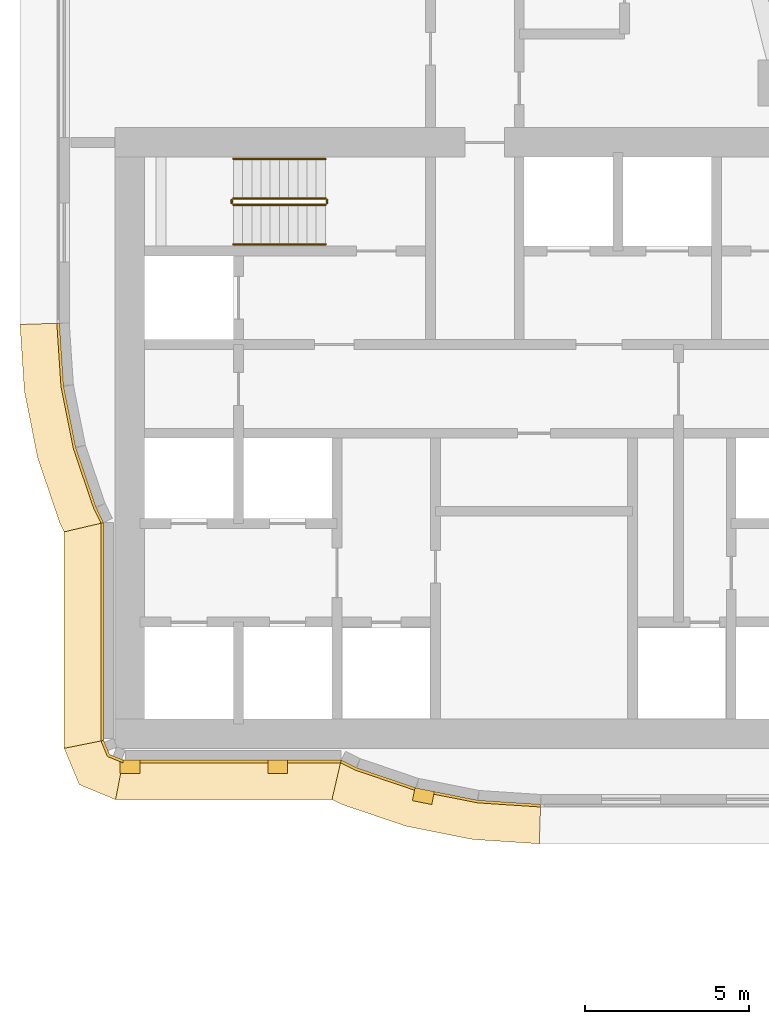
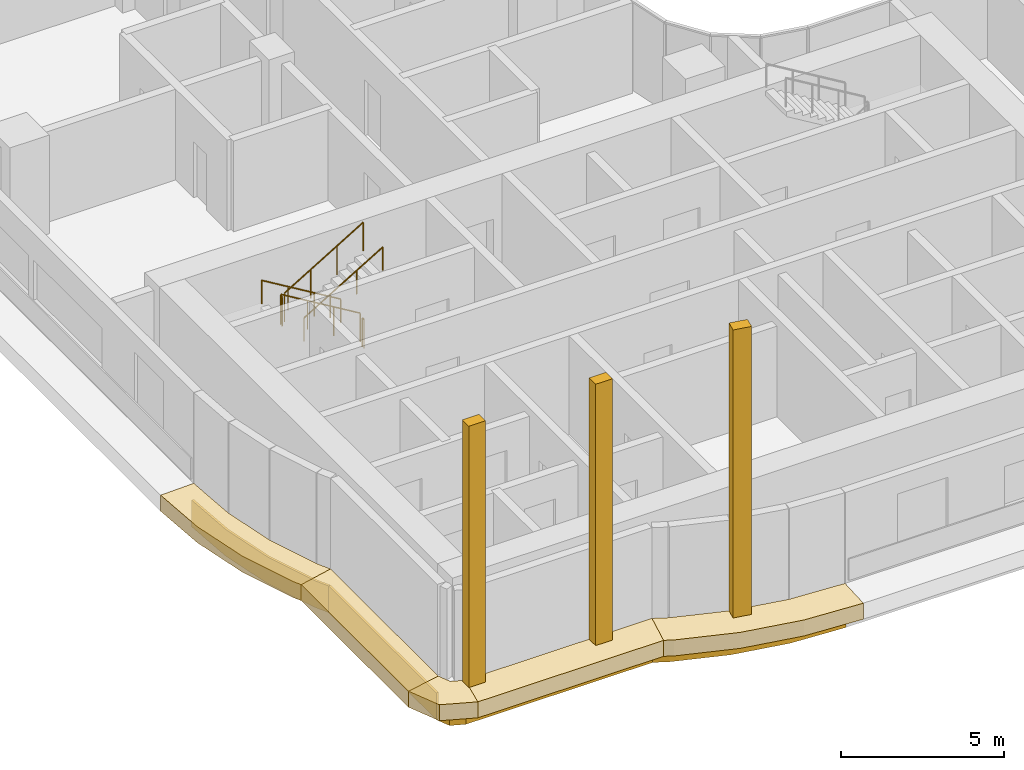
# One storey, part 28 of 36: 13 coverings, 6 railings.
"""IFC4 building model written with IfcOpenShell, lengths in metres."""

from ifc_helpers import new_model, si_unit, direction, frame, origin, origin_2d, place, context, subcontext, project, spatial, polyline, rectangle, circle, outline, extrude, material, layer, layer_set, type_object, element, save


model = new_model("IFC4")

# Units and contexts
model_context = context("Model", 3, precision=1e-05, world=origin(), true_north=direction((0.0, 1.0)))
body_context = subcontext(model_context, "Body", "Model", "MODEL_VIEW")
ifc_project = project(units=[si_unit("LENGTHUNIT", "METRE"), si_unit("AREAUNIT", "SQUARE_METRE"), si_unit("VOLUMEUNIT", "CUBIC_METRE"), si_unit("PLANEANGLEUNIT", "RADIAN"), si_unit("MASSUNIT", "GRAM", prefix="KILO")], contexts=[model_context])

# Site, building, storey
site_placement = place(None, origin())
site = spatial("IfcSite", under=ifc_project, at=site_placement, CompositionType="ELEMENT")
building_placement = place(site_placement, origin())
building = spatial("IfcBuilding", under=site, at=building_placement, Name="Ogive Portal Towers", CompositionType="ELEMENT")
storey_placement = place(building_placement, frame((0.0, 0.0, 52.0)))
storey = spatial("IfcBuildingStorey", under=building, at=storey_placement, Name="L11", CompositionType="ELEMENT", Elevation=52.0)

# Railings
ifc_material_1 = material(Name="Stainless steel balustrade", Category="steel")
railing_type_1 = type_object("IfcRailingType", Name="INT-GUARD", PredefinedType="GUARDRAIL", material=ifc_material_1)
railing_1_placement = place(storey_placement, frame((37.449951171875, 37.800048828125, 0.168212890625)))
element("IfcRailing", 1, at=railing_1_placement, inside=storey, type_object=railing_type_1, Name="L11 ST-A1 stair guard 1", PredefinedType="GUARDRAIL", context=body_context, shape_type="SweptSolid", body=[
    extrude(circle(Radius=0.02392578125, at=origin_2d()), frame((0.0, 0.0, 1.076171875), z_axis=(-0.857242210791, 0.0, 0.514913383045), x_axis=(0.0, -1.0, 0.0)), (0.0, 0.0, 1.0), 3.266357421875),
    extrude(circle(Radius=0.02099609375, at=origin_2d()), origin(), (0.0, 0.0, 1.0), 1.052001953125),
    extrude(circle(Radius=0.02099609375, at=origin_2d()), frame((-0.933349609375, 0.0, 0.560546875)), (0.0, 0.0, 1.0), 1.052001953125),
    extrude(circle(Radius=0.02099609375, at=origin_2d()), frame((-1.86669921875, 0.0, 1.121337890625)), (0.0, 0.0, 1.0), 1.052001953125),
    extrude(circle(Radius=0.02099609375, at=origin_2d()), frame((-2.800048828125, 0.0, 1.681884765625)), (0.0, 0.0, 1.0), 1.052001953125),
])
railing_2_placement = place(storey_placement, frame((34.60009765625, 37.75, 1.85009765625)))
element("IfcRailing", 2, at=railing_2_placement, inside=storey, type_object=railing_type_1, Name="L11 ST-A1 stair guard 2", PredefinedType="GUARDRAIL", context=body_context, shape_type="SweptSolid", body=[
    extrude(circle(Radius=0.02392578125, at=origin_2d()), frame((0.0, 0.0, 1.076171875), z_axis=(0.0, -1.0, 0.0), x_axis=(1.0, 0.0, 0.0)), (0.0, 0.0, 1.0), 0.10009765625),
    extrude(circle(Radius=0.02099609375, at=origin_2d()), origin(), (0.0, 0.0, 1.0), 1.052001953125),
    extrude(circle(Radius=0.02099609375, at=origin_2d()), frame((0.0, -0.10009765625, 0.0)), (0.0, 0.0, 1.0), 1.052001953125),
])
railing_3_placement = place(storey_placement, frame((34.64990234375, 37.60009765625, 2.01806640625)))
element("IfcRailing", 3, at=railing_3_placement, inside=storey, type_object=railing_type_1, Name="L11 ST-A1 stair guard 3", PredefinedType="GUARDRAIL", context=body_context, shape_type="SweptSolid", body=[
    extrude(circle(Radius=0.02392578125, at=origin_2d()), frame((0.0, 0.0, 1.076171875), z_axis=(0.857242210791, 0.0, 0.514913383045), x_axis=(0.0, 1.0, 0.0)), (0.0, 0.0, 1.0), 3.266357421875),
    extrude(circle(Radius=0.02099609375, at=origin_2d()), origin(), (0.0, 0.0, 1.0), 1.052001953125),
    extrude(circle(Radius=0.02099609375, at=origin_2d()), frame((0.933349609375, 0.0, 0.560546875)), (0.0, 0.0, 1.0), 1.052001953125),
    extrude(circle(Radius=0.02099609375, at=origin_2d()), frame((1.86669921875, 0.0, 1.121337890625)), (0.0, 0.0, 1.0), 1.052001953125),
    extrude(circle(Radius=0.02099609375, at=origin_2d()), frame((2.800048828125, 0.0, 1.681884765625)), (0.0, 0.0, 1.0), 1.052001953125),
])
railing_4_placement = place(storey_placement, frame((37.5, 37.75, 0.0)))
element("IfcRailing", 4, at=railing_4_placement, inside=storey, type_object=railing_type_1, Name="L11 ST-A1 stair guard 4", PredefinedType="GUARDRAIL", context=body_context, shape_type="SweptSolid", body=[
    extrude(circle(Radius=0.02392578125, at=origin_2d()), frame((0.0, 0.0, 1.076171875), z_axis=(0.0, -1.0, 0.0), x_axis=(1.0, 0.0, 0.0)), (0.0, 0.0, 1.0), 0.10009765625),
    extrude(circle(Radius=0.02099609375, at=origin_2d()), origin(), (0.0, 0.0, 1.0), 1.052001953125),
    extrude(circle(Radius=0.02099609375, at=origin_2d()), frame((0.0, -0.10009765625, 0.0)), (0.0, 0.0, 1.0), 1.052001953125),
])
ifc_material_2 = material(Name="Stainless steel handrail", Category="steel")
railing_type_2 = type_object("IfcRailingType", Name="INT-HANDRAIL", PredefinedType="HANDRAIL", material=ifc_material_2)
railing_5_placement = place(storey_placement, frame((37.449951171875, 39.0, 0.168212890625)))
element("IfcRailing", 5, at=railing_5_placement, inside=storey, type_object=railing_type_2, Name="L11 ST-A1 stair handrail 1", PredefinedType="HANDRAIL", context=body_context, shape_type="SweptSolid", body=[
    extrude(circle(Radius=0.02392578125, at=origin_2d()), frame((0.0, 0.0, 0.8759765625), z_axis=(-0.857242210791, 0.0, 0.514913383045), x_axis=(0.0, -1.0, 0.0)), (0.0, 0.0, 1.0), 3.266357421875),
    extrude(circle(Radius=0.02099609375, at=origin_2d()), origin(), (0.0, 0.0, 1.0), 0.851806640625),
    extrude(circle(Radius=0.02099609375, at=origin_2d()), frame((-0.933349609375, 0.0, 0.560546875)), (0.0, 0.0, 1.0), 0.851806640625),
    extrude(circle(Radius=0.02099609375, at=origin_2d()), frame((-1.86669921875, 0.0, 1.121337890625)), (0.0, 0.0, 1.0), 0.851806640625),
    extrude(circle(Radius=0.02099609375, at=origin_2d()), frame((-2.800048828125, 0.0, 1.681884765625)), (0.0, 0.0, 1.0), 0.851806640625),
])
railing_6_placement = place(storey_placement, frame((34.64990234375, 36.39990234375, 2.01806640625)))
element("IfcRailing", 6, at=railing_6_placement, inside=storey, type_object=railing_type_2, Name="L11 ST-A1 stair handrail 2", PredefinedType="HANDRAIL", context=body_context, shape_type="SweptSolid", body=[
    extrude(circle(Radius=0.02392578125, at=origin_2d()), frame((0.0, 0.0, 0.8759765625), z_axis=(0.857242210791, 0.0, 0.514913383045), x_axis=(0.0, 1.0, 0.0)), (0.0, 0.0, 1.0), 3.266357421875),
    extrude(circle(Radius=0.02099609375, at=origin_2d()), origin(), (0.0, 0.0, 1.0), 0.851806640625),
    extrude(circle(Radius=0.02099609375, at=origin_2d()), frame((0.933349609375, 0.0, 0.560546875)), (0.0, 0.0, 1.0), 0.851806640625),
    extrude(circle(Radius=0.02099609375, at=origin_2d()), frame((1.86669921875, 0.0, 1.121337890625)), (0.0, 0.0, 1.0), 0.851806640625),
    extrude(circle(Radius=0.02099609375, at=origin_2d()), frame((2.800048828125, 0.0, 1.681884765625)), (0.0, 0.0, 1.0), 0.851806640625),
])

# Coverings
ifc_material_3 = material(Name="Limestone cladding on lightweight block wall", Category="masonry")
ifc_layer_1 = layer(ifc_material_3, 0.39990234375)
ifc_layer_set_1 = layer_set([ifc_layer_1], Name="SPINE PIER STONE")
covering_type_1 = type_object("IfcCoveringType", Name="SPINE PIER STONE", PredefinedType="CLADDING", material=ifc_layer_set_1)
for number, where, z_axis, x_axis, name in (
    (7, (31.5, 20.5, 0.0), (0.0, 0.0, 1.0), (1.0, 0.0, 0.0), "SPINE PIER"),
    (8, (36.0, 20.5, 0.0), (0.0, 0.0, 1.0), (1.0, 0.0, 0.0), "SPINE PIER"),
):
    element("IfcCovering", number, at=place(storey_placement, frame(where, z_axis=z_axis, x_axis=x_axis)), inside=storey, type_object=covering_type_1, Name=name, PredefinedType="CLADDING", context=body_context, shape_type="SweptSolid", body=[
        extrude(rectangle(XDim=0.60009765625, YDim=0.39990234375, at=origin_2d()), origin(), (0.0, 0.0, 1.0), 9.800048828125),
    ])
covering_1_placement = place(storey_placement, frame((40.431640625, 19.60595703125, 0.0), z_axis=(0.0, 0.0, 1.0), x_axis=(0.980785280403, -0.195090322016, 0.0)))
element("IfcCovering", 9, at=covering_1_placement, inside=storey, type_object=covering_type_1, Name="SPINE PIER", PredefinedType="CLADDING", context=body_context, shape_type="SweptSolid", body=[
    extrude(rectangle(XDim=0.60009765625, YDim=0.39990234375, at=origin_2d()), origin(), (0.0, 0.0, 1.0), 10.800048828125),
])
ifc_layer_2 = layer(ifc_material_3, 0.080078125)
ifc_layer_set_2 = layer_set([ifc_layer_2], Name="STONE SPANDREL 80")
covering_type_2 = type_object("IfcCoveringType", Name="STONE SPANDREL 80", PredefinedType="CLADDING", material=ifc_layer_set_2)
covering_2_placement = place(storey_placement, frame((0.0, 0.0, -1.60009765625)))
element("IfcCovering", 10, at=covering_2_placement, inside=storey, type_object=covering_type_2, Name="Stone spandrel A1-F01", PredefinedType="CLADDING", context=body_context, shape_type="SweptSolid", body=[
    extrude(outline(polyline([(30.699951171875, 27.9287109375), (30.699951171875, 21.300048828125), (30.6201171875, 21.2841796875), (30.6201171875, 27.91015625), (30.699951171875, 27.9287109375)])), origin(), (0.0, 0.0, 1.0), 1.0),
])
covering_3_placement = place(storey_placement, frame((0.0, 0.0, -1.60009765625)))
element("IfcCovering", 11, at=covering_3_placement, inside=storey, type_object=covering_type_2, Name="Stone spandrel A1-F02", PredefinedType="CLADDING", context=body_context, shape_type="SweptSolid", body=[
    extrude(outline(polyline([(30.699951171875, 21.300048828125), (30.875732421875, 20.875732421875), (31.300048828125, 20.699951171875), (31.2841796875, 20.6201171875), (30.814453125, 20.814453125), (30.6201171875, 21.2841796875), (30.699951171875, 21.300048828125)])), origin(), (0.0, 0.0, 1.0), 1.0),
])
covering_4_placement = place(storey_placement, frame((0.0, 0.0, -1.60009765625)))
element("IfcCovering", 12, at=covering_4_placement, inside=storey, type_object=covering_type_2, Name="Stone spandrel A1-F03", PredefinedType="CLADDING", context=body_context, shape_type="SweptSolid", body=[
    extrude(outline(polyline([(31.300048828125, 20.699951171875), (37.9287109375, 20.699951171875), (37.91015625, 20.6201171875), (31.2841796875, 20.6201171875), (31.300048828125, 20.699951171875)])), origin(), (0.0, 0.0, 1.0), 1.0),
])
covering_5_placement = place(storey_placement, frame((0.0, 0.0, -1.60009765625)))
element("IfcCovering", 13, at=covering_5_placement, inside=storey, type_object=covering_type_2, Name="Stone spandrel A1-F04", PredefinedType="CLADDING", context=body_context, shape_type="SweptSolid", body=[
    extrude(outline(polyline([(37.9287109375, 20.699951171875), (38.3955078125, 20.4697265625), (40.209716796875, 19.85400390625), (42.08837890625, 19.480224609375), (44.0, 19.35498046875), (43.997314453125, 19.27490234375), (42.077880859375, 19.40087890625), (40.18896484375, 19.776611328125), (38.364990234375, 20.395751953125), (37.91015625, 20.6201171875), (37.9287109375, 20.699951171875)])), origin(), (0.0, 0.0, 1.0), 1.0),
])
covering_6_placement = place(storey_placement, frame((0.0, 0.0, -1.60009765625)))
element("IfcCovering", 14, at=covering_6_placement, inside=storey, type_object=covering_type_2, Name="Stone spandrel A1-F14", PredefinedType="CLADDING", context=body_context, shape_type="SweptSolid", body=[
    extrude(outline(polyline([(29.35498046875, 34.0), (29.480224609375, 32.08837890625), (29.85400390625, 30.209716796875), (30.4697265625, 28.3955078125), (30.699951171875, 27.9287109375), (30.6201171875, 27.91015625), (30.395751953125, 28.364990234375), (29.776611328125, 30.18896484375), (29.40087890625, 32.077880859375), (29.27490234375, 33.997314453125), (29.35498046875, 34.0)])), origin(), (0.0, 0.0, 1.0), 1.0),
])
ifc_layer_3 = layer(ifc_material_3, 0.60009765625)
ifc_layer_set_3 = layer_set([ifc_layer_3], Name="SUNSHADE LIP 600")
covering_type_3 = type_object("IfcCoveringType", Name="SUNSHADE LIP 600", PredefinedType="CLADDING", material=ifc_layer_set_3)
covering_7_placement = place(storey_placement, frame((0.0, 0.0, -0.60009765625)))
element("IfcCovering", 15, at=covering_7_placement, inside=storey, type_object=covering_type_3, Name="Sunshade lip A1-F01", PredefinedType="CLADDING", context=body_context, shape_type="SweptSolid", body=[
    extrude(outline(polyline([(30.699951171875, 27.9287109375), (30.699951171875, 21.300048828125), (29.5, 21.061279296875), (29.5, 27.64892578125), (30.699951171875, 27.9287109375)])), origin(), (0.0, 0.0, 1.0), 0.60009765625),
])
covering_8_placement = place(storey_placement, frame((0.0, 0.0, -0.60009765625)))
element("IfcCovering", 16, at=covering_8_placement, inside=storey, type_object=covering_type_3, Name="Sunshade lip A1-F02", PredefinedType="CLADDING", context=body_context, shape_type="SweptSolid", body=[
    extrude(outline(polyline([(30.699951171875, 21.300048828125), (30.875732421875, 20.875732421875), (31.300048828125, 20.699951171875), (31.061279296875, 19.5), (29.957275390625, 19.957275390625), (29.5, 21.061279296875), (30.699951171875, 21.300048828125)])), origin(), (0.0, 0.0, 1.0), 0.60009765625),
])
covering_9_placement = place(storey_placement, frame((0.0, 0.0, -0.60009765625)))
element("IfcCovering", 17, at=covering_9_placement, inside=storey, type_object=covering_type_3, Name="Sunshade lip A1-F03", PredefinedType="CLADDING", context=body_context, shape_type="SweptSolid", body=[
    extrude(outline(polyline([(31.300048828125, 20.699951171875), (37.9287109375, 20.699951171875), (37.64892578125, 19.5), (31.061279296875, 19.5), (31.300048828125, 20.699951171875)])), origin(), (0.0, 0.0, 1.0), 0.60009765625),
])
covering_10_placement = place(storey_placement, frame((0.0, 0.0, -0.60009765625)))
element("IfcCovering", 18, at=covering_10_placement, inside=storey, type_object=covering_type_3, Name="Sunshade lip A1-F04", PredefinedType="CLADDING", context=body_context, shape_type="SweptSolid", body=[
    extrude(outline(polyline([(37.9287109375, 20.699951171875), (38.3955078125, 20.4697265625), (40.209716796875, 19.85400390625), (42.08837890625, 19.480224609375), (44.0, 19.35498046875), (43.960693359375, 18.155029296875), (41.931396484375, 18.2880859375), (39.8984375, 18.6923828125), (37.935302734375, 19.358642578125), (37.64892578125, 19.5), (37.9287109375, 20.699951171875)])), origin(), (0.0, 0.0, 1.0), 0.60009765625),
])
covering_11_placement = place(storey_placement, frame((0.0, 0.0, -0.60009765625)))
element("IfcCovering", 19, at=covering_11_placement, inside=storey, type_object=covering_type_3, Name="Sunshade lip A1-F14", PredefinedType="CLADDING", context=body_context, shape_type="SweptSolid", body=[
    extrude(outline(polyline([(29.35498046875, 34.0), (29.480224609375, 32.08837890625), (29.85400390625, 30.209716796875), (30.4697265625, 28.3955078125), (30.699951171875, 27.9287109375), (29.5, 27.64892578125), (29.358642578125, 27.935302734375), (28.6923828125, 29.8984375), (28.2880859375, 31.931396484375), (28.155029296875, 33.960693359375), (29.35498046875, 34.0)])), origin(), (0.0, 0.0, 1.0), 0.60009765625),
])

save(model, "model.ifc")
